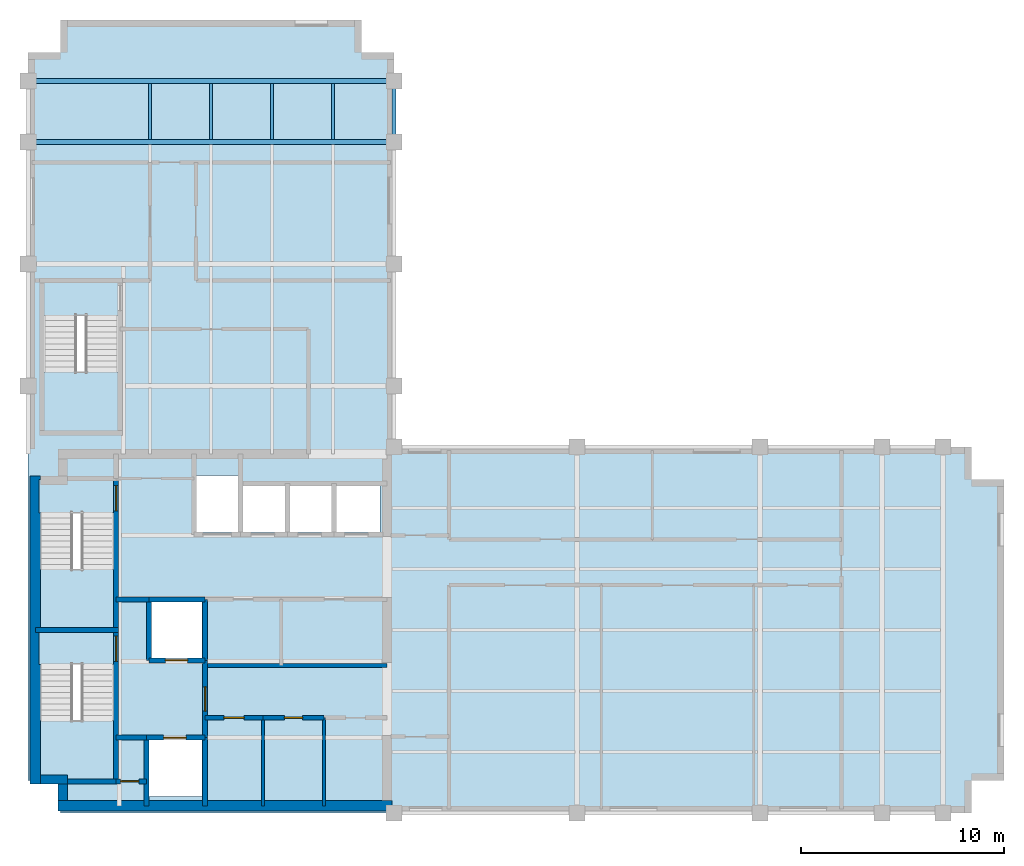
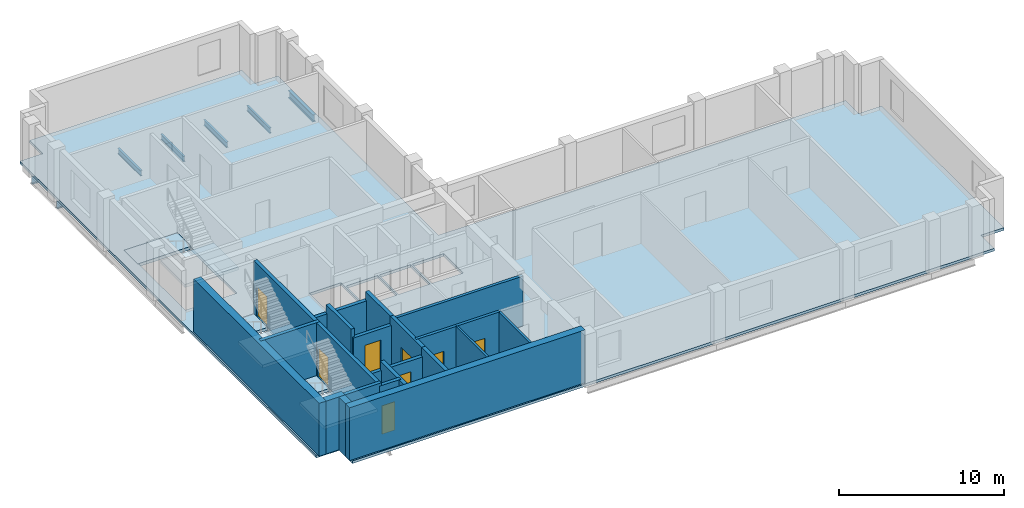
# One storey, part 2 of 6: 24 walls, 8 doors, 7 beams, 7 slabs, 8 openings, 3 elements without a shape of their own.
"""IFC4 building model written with IfcOpenShell, lengths in metres."""

from ifc_helpers import new_model, si_unit, direction, frame, frame_2d, origin, origin_2d, place, context, subcontext, project, spatial, polyline, rectangle, i_section, outline, extrude, material, layer, layer_set, material_profile, profile_set, type_object, element, fill, aggregate, save


model = new_model("IFC4")

# Units and contexts
model_context = context("Model", 3, precision=1e-05, world=origin(), true_north=direction((0.0, 1.0)))
body_context = subcontext(model_context, "Body", "Model", "MODEL_VIEW")
ifc_project = project(units=[si_unit("LENGTHUNIT", "METRE"), si_unit("AREAUNIT", "SQUARE_METRE"), si_unit("VOLUMEUNIT", "CUBIC_METRE"), si_unit("PLANEANGLEUNIT", "RADIAN"), si_unit("MASSUNIT", "GRAM", prefix="KILO")], contexts=[model_context])

# Site, building, storey
site_placement = place(None, origin())
site = spatial("IfcSite", under=ifc_project, at=site_placement, CompositionType="ELEMENT")
building_placement = place(site_placement, origin())
building = spatial("IfcBuilding", under=site, at=building_placement, Name="Mawjdan Bourse Tower", CompositionType="ELEMENT")
storey_placement = place(building_placement, frame((0.0, 0.0, 243.0)))
storey = spatial("IfcBuildingStorey", under=building, at=storey_placement, Name="L59", CompositionType="ELEMENT", Elevation=243.0)

# Beams
ifc_material_1 = material(Name="Structural Steel S355", Category="steel")
ifc_material_profile_1 = material_profile(ifc_material_1, i_section(OverallWidth=0.22998046875, OverallDepth=0.616943359375, WebThickness=0.01318359375, FlangeThickness=0.022216796875, FilletRadius=0.017822265625, at=origin_2d()), Name="W24X94")
ifc_profile_set_1 = profile_set([ifc_material_profile_1], Name="Structural Steel S355")
beam_type_1 = type_object("IfcBeamType", Name="GRD-W24X94", PredefinedType="BEAM", material=ifc_profile_set_1)
for number, where, z_axis, x_axis, name in (
    (1, (6.0, 36.0, -0.508544921875), (1.0, 0.0, 0.0), (0.0, 1.0, 0.0), "L59 North Wing Clear-Span Girder 041"),
    (2, (6.0, 39.0, -0.508544921875), (1.0, 0.0, 0.0), (0.0, 1.0, 0.0), "L59 North Wing Clear-Span Girder 042"),
):
    element("IfcBeam", number, at=place(storey_placement, frame(where, z_axis=z_axis, x_axis=x_axis)), inside=storey, type_object=beam_type_1, Name=name, PredefinedType="BEAM", context=body_context, shape_type="SweptSolid", body=[
        extrude(i_section(OverallWidth=0.22998046875, OverallDepth=0.616943359375, WebThickness=0.01318359375, FlangeThickness=0.022216796875, FilletRadius=0.017822265625, at=origin_2d()), origin(), (0.0, 0.0, 1.0), 18.0),
    ])
ifc_material_profile_2 = material_profile(ifc_material_1, i_section(OverallWidth=0.139892578125, OverallDepth=0.404052734375, WebThickness=0.007080078125, FlangeThickness=0.01123046875, FilletRadius=0.009033203125, at=origin_2d()), Name="W16X31")
ifc_profile_set_2 = profile_set([ifc_material_profile_2], Name="Structural Steel S355")
beam_type_2 = type_object("IfcBeamType", Name="JST-W16X31", PredefinedType="JOIST", material=ifc_profile_set_2)
for number, where, z_axis, x_axis, name in (
    (3, (12.0, 36.113037109375, -0.402099609375), (0.0, 1.0, 0.0), (-1.0, 0.0, 0.0), "L59 North Wing Composite Joist 054"),
    (4, (15.0, 36.113037109375, -0.402099609375), (0.0, 1.0, 0.0), (-1.0, 0.0, 0.0), "L59 North Wing Composite Joist 058"),
    (5, (18.0, 36.113037109375, -0.402099609375), (0.0, 1.0, 0.0), (-1.0, 0.0, 0.0), "L59 North Wing Composite Joist 062"),
    (6, (21.0, 36.113037109375, -0.402099609375), (0.0, 1.0, 0.0), (-1.0, 0.0, 0.0), "L59 North Wing Composite Joist 066"),
):
    element("IfcBeam", number, at=place(storey_placement, frame(where, z_axis=z_axis, x_axis=x_axis)), inside=storey, type_object=beam_type_2, Name=name, PredefinedType="JOIST", context=body_context, shape_type="SweptSolid", body=[
        extrude(i_section(OverallWidth=0.139892578125, OverallDepth=0.404052734375, WebThickness=0.007080078125, FlangeThickness=0.01123046875, FilletRadius=0.009033203125, at=origin_2d()), origin(), (0.0, 0.0, 1.0), 2.77392578125),
    ])
ifc_material_profile_3 = material_profile(ifc_material_1, i_section(OverallWidth=0.2099609375, OverallDepth=0.537109375, WebThickness=0.010986328125, FlangeThickness=0.017333984375, FilletRadius=0.013916015625, at=origin_2d()), Name="W21X68")
ifc_profile_set_3 = profile_set([ifc_material_profile_3], Name="Structural Steel S355")
beam_type_3 = type_object("IfcBeamType", Name="SPN-W21X68", PredefinedType="SPANDREL", material=ifc_profile_set_3)
beam_placement = place(storey_placement, frame((24.0, 36.0, -0.468505859375), z_axis=(0.0, 1.0, 0.0), x_axis=(-1.0, 0.0, 0.0)))
element("IfcBeam", 7, at=beam_placement, inside=storey, type_object=beam_type_3, Name="L59 North Wing Spandrel 050", PredefinedType="SPANDREL", context=body_context, shape_type="SweptSolid", body=[
    extrude(i_section(OverallWidth=0.2099609375, OverallDepth=0.537109375, WebThickness=0.010986328125, FlangeThickness=0.017333984375, FilletRadius=0.013916015625, at=origin_2d()), origin(), (0.0, 0.0, 1.0), 3.0),
])

# Stair, slabs
ifc_material_2 = material(Name="Concrete C50/60", Category="concrete")
stair_type = type_object("IfcStairType", Name="STR-CORE-1500", PredefinedType="HALF_TURN_STAIR", material=ifc_material_2)
stair_1_placement = place(storey_placement, origin())
stair_1 = element("IfcStair", 8, at=stair_1_placement, inside=storey, type_object=stair_type, Name="L59 Exit Stair 1 (Core South-West)", PredefinedType="HALF_TURN_STAIR")
ifc_layer_1 = layer(ifc_material_2, 0.22998046875)
ifc_layer_set_1 = layer_set([ifc_layer_1], Name="Concrete C50/60")
slab_type_1 = type_object("IfcSlabType", Name="SL-LND-230", PredefinedType="LANDING", material=ifc_layer_set_1)
slab_1_placement = place(storey_placement, frame((0.0, 0.0, -0.22998046875)))
slab_1 = element("IfcSlab", 9, at=slab_1_placement, type_object=slab_type_1, Name="ST1-L59 landing 1", PredefinedType="LANDING", context=body_context, shape_type="SweptSolid", body=[
    extrude(outline(polyline([(6.5400390625, 10.31005859375), (10.260009765625, 10.31005859375), (10.260009765625, 11.969970703125), (6.5400390625, 11.969970703125), (6.5400390625, 10.31005859375)])), origin(), (0.0, 0.0, 1.0), 0.22998046875),
])
slab_2_placement = place(storey_placement, frame((0.0, 0.0, 1.719970703125)))
slab_2 = element("IfcSlab", 10, at=slab_2_placement, type_object=slab_type_1, Name="ST1-L59 landing 2", PredefinedType="LANDING", context=body_context, shape_type="SweptSolid", body=[
    extrude(outline(polyline([(6.5400390625, 4.590087890625), (10.260009765625, 4.590087890625), (10.260009765625, 7.5400390625), (6.5400390625, 7.5400390625), (6.5400390625, 4.590087890625)])), origin(), (0.0, 0.0, 1.0), 0.22998046875),
])
aggregate(stair_1, [slab_1, slab_2])

stair_2_placement = place(storey_placement, origin())
stair_2 = element("IfcStair", 11, at=stair_2_placement, inside=storey, type_object=stair_type, Name="L59 Exit Stair 2 (Core North-West)", PredefinedType="HALF_TURN_STAIR")
slab_3_placement = place(storey_placement, frame((0.0, 0.0, -0.22998046875)))
slab_3 = element("IfcSlab", 12, at=slab_3_placement, type_object=slab_type_1, Name="ST2-L59 landing 1", PredefinedType="LANDING", context=body_context, shape_type="SweptSolid", body=[
    extrude(outline(polyline([(6.5400390625, 17.75), (10.260009765625, 17.75), (10.260009765625, 19.409912109375), (6.5400390625, 19.409912109375), (6.5400390625, 17.75)])), origin(), (0.0, 0.0, 1.0), 0.22998046875),
])
slab_4_placement = place(storey_placement, frame((0.0, 0.0, 1.719970703125)))
slab_4 = element("IfcSlab", 13, at=slab_4_placement, type_object=slab_type_1, Name="ST2-L59 landing 2", PredefinedType="LANDING", context=body_context, shape_type="SweptSolid", body=[
    extrude(outline(polyline([(6.5400390625, 12.030029296875), (10.260009765625, 12.030029296875), (10.260009765625, 14.97998046875), (6.5400390625, 14.97998046875), (6.5400390625, 12.030029296875)])), origin(), (0.0, 0.0, 1.0), 0.22998046875),
])
aggregate(stair_2, [slab_3, slab_4])

stair_3_placement = place(storey_placement, origin())
stair_3 = element("IfcStair", 14, at=stair_3_placement, inside=storey, type_object=stair_type, Name="L59 Exit Stair 3 (North Wing)", PredefinedType="HALF_TURN_STAIR")
slab_5_placement = place(storey_placement, frame((0.0, 0.0, -0.22998046875)))
slab_5 = element("IfcSlab", 15, at=slab_5_placement, type_object=slab_type_1, Name="ST3-L59 landing 1", PredefinedType="LANDING", context=body_context, shape_type="SweptSolid", body=[
    extrude(outline(polyline([(6.739990234375, 27.4599609375), (10.4599609375, 27.4599609375), (10.4599609375, 29.1201171875), (6.739990234375, 29.1201171875), (6.739990234375, 27.4599609375)])), origin(), (0.0, 0.0, 1.0), 0.22998046875),
])
slab_6_placement = place(storey_placement, frame((0.0, 0.0, 1.719970703125)))
slab_6 = element("IfcSlab", 16, at=slab_6_placement, type_object=slab_type_1, Name="ST3-L59 landing 2", PredefinedType="LANDING", context=body_context, shape_type="SweptSolid", body=[
    extrude(outline(polyline([(6.739990234375, 21.739990234375), (10.4599609375, 21.739990234375), (10.4599609375, 24.68994140625), (6.739990234375, 24.68994140625), (6.739990234375, 21.739990234375)])), origin(), (0.0, 0.0, 1.0), 0.22998046875),
])
aggregate(stair_3, [slab_5, slab_6])

# Slab
ifc_layer_2 = layer(ifc_material_2, 0.199951171875)
ifc_layer_set_2 = layer_set([ifc_layer_2], Name="Concrete C50/60")
slab_type_2 = type_object("IfcSlabType", Name="SL-OFC-200", PredefinedType="FLOOR", material=ifc_layer_set_2)
slab_7_placement = place(storey_placement, frame((0.0, 0.0, -0.199951171875)))
element("IfcSlab", 17, at=slab_7_placement, inside=storey, type_object=slab_type_2, Name="L59 Structural Floor Slab 1", PredefinedType="FLOOR", context=body_context, shape_type="SweptSolid", body=[
    extrude(outline(polyline([(7.60009765625, 3.0), (52.39990234375, 3.0), (52.39990234375, 4.60009765625), (54.0, 4.60009765625), (54.0, 19.39990234375), (52.39990234375, 19.39990234375), (52.39990234375, 21.0), (24.0, 21.0), (24.0, 40.39990234375), (22.39990234375, 40.39990234375), (22.39990234375, 42.0), (7.60009765625, 42.0), (7.60009765625, 40.39990234375), (6.0, 40.39990234375), (6.0, 4.60009765625), (7.60009765625, 4.60009765625), (7.60009765625, 3.0)]), holes=[polyline([(6.5400390625, 11.969970703125), (10.260009765625, 11.969970703125), (10.260009765625, 10.31005859375), (10.199951171875, 10.31005859375), (10.199951171875, 4.64990234375), (6.60009765625, 4.64990234375), (6.60009765625, 10.31005859375), (6.5400390625, 10.31005859375), (6.5400390625, 11.969970703125)]), polyline([(6.60009765625, 12.090087890625), (6.60009765625, 17.75), (6.5400390625, 17.75), (6.5400390625, 19.409912109375), (10.260009765625, 19.409912109375), (10.260009765625, 17.75), (10.199951171875, 17.75), (10.199951171875, 12.090087890625), (6.60009765625, 12.090087890625)]), polyline([(10.4599609375, 29.1201171875), (10.4599609375, 27.4599609375), (10.39990234375, 27.4599609375), (10.39990234375, 21.800048828125), (6.800048828125, 21.800048828125), (6.800048828125, 27.4599609375), (6.739990234375, 27.4599609375), (6.739990234375, 29.1201171875), (10.4599609375, 29.1201171875)]), polyline([(14.550048828125, 3.800048828125), (11.949951171875, 3.800048828125), (11.949951171875, 6.60009765625), (14.550048828125, 6.60009765625), (14.550048828125, 3.800048828125)]), polyline([(12.050048828125, 10.60009765625), (12.050048828125, 13.39990234375), (14.550048828125, 13.39990234375), (14.550048828125, 10.60009765625), (12.050048828125, 10.60009765625)]), polyline([(16.5, 16.800048828125), (16.5, 19.14990234375), (18.699951171875, 19.14990234375), (18.699951171875, 16.800048828125), (16.5, 16.800048828125)]), polyline([(21.0, 16.800048828125), (18.800048828125, 16.800048828125), (18.800048828125, 19.14990234375), (21.0, 19.14990234375), (21.0, 16.800048828125)]), polyline([(21.10009765625, 16.800048828125), (21.10009765625, 19.14990234375), (23.300048828125, 19.14990234375), (23.300048828125, 16.800048828125), (21.10009765625, 16.800048828125)]), polyline([(14.199951171875, 16.800048828125), (14.199951171875, 19.60009765625), (16.39990234375, 19.60009765625), (16.39990234375, 16.800048828125), (14.199951171875, 16.800048828125)])]), origin(), (0.0, 0.0, 1.0), 0.199951171875),
])

# Wall, opening, door
ifc_material_3 = material(Name="Gypsum Fireboard Assembly")
ifc_layer_3 = layer(ifc_material_3, 0.199951171875)
ifc_layer_set_3 = layer_set([ifc_layer_3], Name="Gypsum Fireboard Assembly")
wall_type_1 = type_object("IfcWallType", Name="WL-CMP-200", PredefinedType="PARTITIONING", material=ifc_layer_set_3)
wall_1_placement = place(storey_placement, frame((14.699951171875, 7.679931640625, 0.0), z_axis=(0.0, 0.0, 1.0), x_axis=(1.0, 0.0, 0.0)))
wall_1 = element("IfcWall", 18, at=wall_1_placement, inside=storey, type_object=wall_type_1, Name="L59 Archive & Records Office North Wall", PredefinedType="PARTITIONING", context=body_context, shape_type="SweptSolid", body=[
    extrude(rectangle(XDim=2.85009765625, YDim=0.199951171875, at=frame_2d((1.425048828125, 0.0))), origin(), (0.0, 0.0, 1.0), 3.68994140625),
])
opening_1_placement = place(wall_1_placement, frame((0.925048828125, 0.0, 0.0)))
opening_1 = element("IfcOpeningElement", 19, at=opening_1_placement, cuts=wall_1, Name="Opening D-L59-13", PredefinedType="OPENING", context=body_context, shape_type="SweptSolid", body=[
    extrude(rectangle(XDim=1.0, YDim=2.14990234375, at=frame_2d((0.5, 1.074951171875))), frame((0.0, 0.10986328125, 0.0), z_axis=(0.0, -1.0, 0.0), x_axis=(1.0, 0.0, 0.0)), (0.0, 0.0, 1.0), 0.219970703125),
])
ifc_material_4 = material(Name="Hardwood Acoustic Leaf", Category="wood")
door_type_1 = type_object("IfcDoorType", Name="DR-OFC-1000", OperationType="NOTDEFINED", PredefinedType="DOOR", material=ifc_material_4)
door_1_placement = place(opening_1_placement, origin())
door_1 = element("IfcDoor", 20, at=door_1_placement, inside=storey, type_object=door_type_1, Name="L59 Archive & Records Office Door D-L59-13", OperationType="SINGLE_SWING_RIGHT", OverallHeight=2.14990234375, OverallWidth=1.0, PredefinedType="DOOR", context=body_context, shape_type="SweptSolid", body=[
    extrude(rectangle(XDim=1.0, YDim=2.14990234375, at=frame_2d((0.5, 1.074951171875))), frame((0.0, 0.02490234375, 0.0), z_axis=(0.0, -1.0, 0.0), x_axis=(1.0, 0.0, 0.0)), (0.0, 0.0, 1.0), 0.050048828125),
])
fill(opening_1, door_1)

wall_2_placement = place(storey_placement, frame((17.550048828125, 7.679931640625, 0.0), z_axis=(0.0, 0.0, 1.0), x_axis=(1.0, 0.0, 0.0)))
wall_2 = element("IfcWall", 21, at=wall_2_placement, inside=storey, type_object=wall_type_1, Name="L59 IT & Fiber Patch Room North Wall", PredefinedType="PARTITIONING", context=body_context, shape_type="SweptSolid", body=[
    extrude(rectangle(XDim=3.0, YDim=0.199951171875, at=frame_2d((1.5, 0.0))), origin(), (0.0, 0.0, 1.0), 3.68994140625),
])
opening_2_placement = place(wall_2_placement, frame((1.050048828125, 0.0, 0.0)))
opening_2 = element("IfcOpeningElement", 22, at=opening_2_placement, cuts=wall_2, Name="Opening D-L59-14", PredefinedType="OPENING", context=body_context, shape_type="SweptSolid", body=[
    extrude(rectangle(XDim=0.89990234375, YDim=2.10009765625, at=frame_2d((0.449951171875, 1.050048828125))), frame((0.0, 0.10986328125, 0.0), z_axis=(0.0, -1.0, 0.0), x_axis=(1.0, 0.0, 0.0)), (0.0, 0.0, 1.0), 0.219970703125),
])
ifc_material_5 = material(Name="Fire-Rated Steel Access Leaf", Category="steel")
door_type_2 = type_object("IfcDoorType", Name="FD-RSR-0900", OperationType="NOTDEFINED", PredefinedType="TRAPDOOR", material=ifc_material_5)
door_2_placement = place(opening_2_placement, origin())
door_2 = element("IfcDoor", 23, at=door_2_placement, inside=storey, type_object=door_type_2, Name="L59 IT & Fiber Patch Room Door D-L59-14", OperationType="SINGLE_SWING_LEFT", OverallHeight=2.10009765625, OverallWidth=0.89990234375, PredefinedType="TRAPDOOR", context=body_context, shape_type="SweptSolid", body=[
    extrude(rectangle(XDim=0.89990234375, YDim=2.10009765625, at=frame_2d((0.449951171875, 1.050048828125))), frame((0.0, 0.02490234375, 0.0), z_axis=(0.0, -1.0, 0.0), x_axis=(1.0, 0.0, 0.0)), (0.0, 0.0, 1.0), 0.050048828125),
])
fill(opening_2, door_2)

# Walls
wall_3_placement = place(storey_placement, frame((14.824951171875, 10.25, 0.0), z_axis=(0.0, 0.0, 1.0), x_axis=(1.0, 0.0, 0.0)))
element("IfcWall", 24, at=wall_3_placement, inside=storey, type_object=wall_type_1, Name="L59 Core Restroom Suite South Wall", PredefinedType="PARTITIONING", context=body_context, shape_type="SweptSolid", body=[
    extrude(rectangle(XDim=8.824951171875, YDim=0.199951171875, at=frame_2d((4.41259765625, 0.0))), origin(), (0.0, 0.0, 1.0), 3.68994140625),
])
ifc_material_6 = material(Name="Concrete C60/75", Category="concrete")
ifc_layer_4 = layer(ifc_material_6, 0.449951171875)
ifc_layer_set_4 = layer_set([ifc_layer_4], Name="Concrete C60/75")
wall_type_2 = type_object("IfcWallType", Name="WL-CORE-450", PredefinedType="SHEAR", material=ifc_layer_set_4)
wall_4_placement = place(storey_placement, frame((6.60009765625, 4.64990234375, 0.0), z_axis=(0.0, 0.0, 1.0), x_axis=(1.0, 0.0, 0.0)))
element("IfcWall", 25, at=wall_4_placement, inside=storey, type_object=wall_type_2, Name="L59 Rear Core Shear Wall SW-X", PredefinedType="SHEAR", context=body_context, shape_type="SweptSolid", body=[
    extrude(rectangle(XDim=1.324951171875, YDim=0.449951171875, at=frame_2d((0.66259765625, 0.0))), origin(), (0.0, 0.0, 1.0), 3.89990234375),
])
wall_5_placement = place(storey_placement, frame((7.699951171875, 3.60009765625, 0.0), z_axis=(0.0, 0.0, 1.0), x_axis=(0.0, 1.0, 0.0)))
element("IfcWall", 26, at=wall_5_placement, inside=storey, type_object=wall_type_2, Name="L59 Rear Core Shear Wall SW-Y", PredefinedType="SHEAR", context=body_context, shape_type="SweptSolid", body=[
    extrude(rectangle(XDim=0.824951171875, YDim=0.449951171875, at=frame_2d((0.41259765625, 0.0))), origin(), (0.0, 0.0, 1.0), 3.89990234375),
])
ifc_layer_5 = layer(ifc_material_6, 0.5)
ifc_layer_set_5 = layer_set([ifc_layer_5], Name="Concrete C60/75")
wall_type_3 = type_object("IfcWallType", Name="WL-CORE-500", PredefinedType="SHEAR", material=ifc_layer_set_5)
wall_6_placement = place(storey_placement, frame((7.47509765625, 3.35009765625, 0.0), z_axis=(0.0, 0.0, 1.0), x_axis=(1.0, 0.0, 0.0)))
element("IfcWall", 27, at=wall_6_placement, inside=storey, type_object=wall_type_3, Name="L59 Rear Core Shear Wall S", PredefinedType="SHEAR", context=body_context, shape_type="SweptSolid", body=[
    extrude(rectangle(XDim=16.4248046875, YDim=0.5, at=frame_2d((8.21240234375, 0.0))), origin(), (0.0, 0.0, 1.0), 3.89990234375),
])
wall_7_placement = place(storey_placement, frame((6.35009765625, 4.425048828125, 0.0), z_axis=(0.0, 0.0, 1.0), x_axis=(0.0, 1.0, 0.0)))
element("IfcWall", 28, at=wall_7_placement, inside=storey, type_object=wall_type_3, Name="L59 Rear Core Shear Wall W", PredefinedType="SHEAR", context=body_context, shape_type="SweptSolid", body=[
    extrude(rectangle(XDim=15.14990234375, YDim=0.5, at=frame_2d((7.574951171875, 0.0))), origin(), (0.0, 0.0, 1.0), 3.89990234375),
])
ifc_material_7 = material(Name="Gypsum Acoustic Partition")
ifc_layer_6 = layer(ifc_material_7, 0.14990234375)
ifc_layer_set_6 = layer_set([ifc_layer_6], Name="Gypsum Acoustic Partition")
wall_type_4 = type_object("IfcWallType", Name="WL-PRT-150", PredefinedType="PARTITIONING", material=ifc_layer_set_6)
for number, where, z_axis, x_axis, name in (
    (29, (17.550048828125, 3.35009765625, 0.0), (0.0, 0.0, 1.0), (0.0, 1.0, 0.0), "L59 IT & Fiber Patch Room Core Split Wall"),
    (30, (20.550048828125, 3.35009765625, 0.0), (0.0, 0.0, 1.0), (0.0, 1.0, 0.0), "L59 Staff Tea Pantry Core Split Wall"),
):
    element("IfcWall", number, at=place(storey_placement, frame(where, z_axis=z_axis, x_axis=x_axis)), inside=storey, type_object=wall_type_4, Name=name, PredefinedType="PARTITIONING", context=body_context, shape_type="SweptSolid", body=[
        extrude(rectangle(XDim=4.329833984375, YDim=0.14990234375, at=frame_2d((2.1650390625, 0.0))), origin(), (0.0, 0.0, 1.0), 3.68994140625),
    ])

# Wall, opening, door
ifc_layer_7 = layer(ifc_material_2, 0.25)
ifc_layer_set_7 = layer_set([ifc_layer_7], Name="Concrete C50/60")
wall_type_5 = type_object("IfcWallType", Name="WL-SHFT-250", PredefinedType="PARTITIONING", material=ifc_layer_set_7)
wall_8_placement = place(storey_placement, frame((10.330078125, 4.550048828125, 0.0), z_axis=(0.0, 0.0, 1.0), x_axis=(1.0, 0.0, 0.0)))
wall_8 = element("IfcWall", 31, at=wall_8_placement, inside=storey, type_object=wall_type_5, Name="L59 SW Riser North Wall", PredefinedType="PARTITIONING", context=body_context, shape_type="SweptSolid", body=[
    extrude(rectangle(XDim=1.489990234375, YDim=0.25, at=frame_2d((0.7451171875, 0.0))), origin(), (0.0, 0.0, 1.0), 3.68994140625),
])
opening_3_placement = place(wall_8_placement, frame((0.219970703125, 0.0, 0.0)))
opening_3 = element("IfcOpeningElement", 32, at=opening_3_placement, cuts=wall_8, Name="Opening RD-L59-03", PredefinedType="OPENING", context=body_context, shape_type="SweptSolid", body=[
    extrude(rectangle(XDim=0.89990234375, YDim=2.10009765625, at=frame_2d((0.449951171875, 1.050048828125))), frame((0.0, 0.135009765625, 0.0), z_axis=(0.0, -1.0, 0.0), x_axis=(1.0, 0.0, 0.0)), (0.0, 0.0, 1.0), 0.27001953125),
])
door_3_placement = place(opening_3_placement, origin())
door_3 = element("IfcDoor", 33, at=door_3_placement, inside=storey, type_object=door_type_2, Name="L59 Electrical Riser Access Door RD-L59-03", OperationType="SINGLE_SWING_RIGHT", OverallHeight=2.10009765625, OverallWidth=0.89990234375, PredefinedType="TRAPDOOR", context=body_context, shape_type="SweptSolid", body=[
    extrude(rectangle(XDim=0.89990234375, YDim=2.10009765625, at=frame_2d((0.449951171875, 1.050048828125))), frame((0.0, 0.02490234375, 0.0), z_axis=(0.0, -1.0, 0.0), x_axis=(1.0, 0.0, 0.0)), (0.0, 0.0, 1.0), 0.050048828125),
])
fill(opening_3, door_3)

# Wall
wall_9_placement = place(storey_placement, frame((11.820068359375, 3.35009765625, 0.0), z_axis=(0.0, 0.0, 1.0), x_axis=(0.0, 1.0, 0.0)))
element("IfcWall", 34, at=wall_9_placement, inside=storey, type_object=wall_type_5, Name="L59 SW Riser & FFL01 West Wall", PredefinedType="PARTITIONING", context=body_context, shape_type="SweptSolid", body=[
    extrude(rectangle(XDim=3.349853515625, YDim=0.25, at=frame_2d((1.6748046875, 0.0))), origin(), (0.0, 0.0, 1.0), 3.68994140625),
])

# Wall, opening, door
wall_10_placement = place(storey_placement, frame((11.820068359375, 6.699951171875, 0.0), z_axis=(0.0, 0.0, 1.0), x_axis=(1.0, 0.0, 0.0)))
wall_10 = element("IfcWall", 35, at=wall_10_placement, inside=storey, type_object=wall_type_5, Name="L59 FFL-01 Front Shaft Wall", PredefinedType="PARTITIONING", context=body_context, shape_type="SweptSolid", body=[
    extrude(rectangle(XDim=2.8798828125, YDim=0.25, at=frame_2d((1.43994140625, 0.0))), origin(), (0.0, 0.0, 1.0), 3.072998046875),
])
opening_4_placement = place(wall_10_placement, frame((0.85009765625, 0.0, 0.0)))
opening_4 = element("IfcOpeningElement", 36, at=opening_4_placement, cuts=wall_10, Name="Opening LD-L59-05", PredefinedType="OPENING", context=body_context, shape_type="SweptSolid", body=[
    extrude(rectangle(XDim=1.10009765625, YDim=2.25, at=frame_2d((0.550048828125, 1.125))), frame((0.0, 0.135009765625, 0.0), z_axis=(0.0, -1.0, 0.0), x_axis=(1.0, 0.0, 0.0)), (0.0, 0.0, 1.0), 0.27001953125),
])
ifc_material_8 = material(Name="Brushed Stainless Steel", Category="steel")
door_type_3 = type_object("IfcDoorType", Name="LD-FFL-1100", OperationType="DOUBLE_DOOR_SLIDING", PredefinedType="DOOR", material=ifc_material_8)
door_4_placement = place(opening_4_placement, origin())
door_4 = element("IfcDoor", 37, at=door_4_placement, inside=storey, type_object=door_type_3, Name="L59 Firefighting Lift FFL-01 Landing Door LD-L59-05", OperationType="DOUBLE_DOOR_SLIDING", OverallHeight=2.25, OverallWidth=1.10009765625, PredefinedType="DOOR", context=body_context, shape_type="SweptSolid", body=[
    extrude(rectangle(XDim=1.10009765625, YDim=2.25, at=frame_2d((0.550048828125, 1.125))), frame((0.0, 0.02490234375, 0.0), z_axis=(0.0, -1.0, 0.0), x_axis=(1.0, 0.0, 0.0)), (0.0, 0.0, 1.0), 0.050048828125),
])
fill(opening_4, door_4)

# Wall
wall_11_placement = place(storey_placement, frame((14.699951171875, 3.35009765625, 0.0), z_axis=(0.0, 0.0, 1.0), x_axis=(0.0, 1.0, 0.0)))
element("IfcWall", 38, at=wall_11_placement, inside=storey, type_object=wall_type_5, Name="L59 FFL-01 East Shaft Wall", PredefinedType="PARTITIONING", context=body_context, shape_type="SweptSolid", body=[
    extrude(rectangle(XDim=3.349853515625, YDim=0.25, at=frame_2d((1.6748046875, 0.0))), origin(), (0.0, 0.0, 1.0), 3.68994140625),
])

# Wall, opening, door
wall_12_placement = place(storey_placement, frame((11.949951171875, 10.5, 0.0), z_axis=(0.0, 0.0, 1.0), x_axis=(1.0, 0.0, 0.0)))
wall_12 = element("IfcWall", 39, at=wall_12_placement, inside=storey, type_object=wall_type_5, Name="L59 FFL-02 Front Shaft Wall", PredefinedType="PARTITIONING", context=body_context, shape_type="SweptSolid", body=[
    extrude(rectangle(XDim=2.75, YDim=0.25, at=frame_2d((1.375, 0.0))), origin(), (0.0, 0.0, 1.0), 3.072998046875),
])
opening_5_placement = place(wall_12_placement, frame((0.800048828125, 0.0, 0.0)))
opening_5 = element("IfcOpeningElement", 40, at=opening_5_placement, cuts=wall_12, Name="Opening LD-L59-06", PredefinedType="OPENING", context=body_context, shape_type="SweptSolid", body=[
    extrude(rectangle(XDim=1.10009765625, YDim=2.25, at=frame_2d((0.550048828125, 1.125))), frame((0.0, 0.135009765625, 0.0), z_axis=(0.0, -1.0, 0.0), x_axis=(1.0, 0.0, 0.0)), (0.0, 0.0, 1.0), 0.27001953125),
])
door_5_placement = place(opening_5_placement, origin())
door_5 = element("IfcDoor", 41, at=door_5_placement, inside=storey, type_object=door_type_3, Name="L59 Firefighting Lift FFL-02 Landing Door LD-L59-06", OperationType="DOUBLE_DOOR_SLIDING", OverallHeight=2.25, OverallWidth=1.10009765625, PredefinedType="DOOR", context=body_context, shape_type="SweptSolid", body=[
    extrude(rectangle(XDim=1.10009765625, YDim=2.25, at=frame_2d((0.550048828125, 1.125))), frame((0.0, 0.02490234375, 0.0), z_axis=(0.0, -1.0, 0.0), x_axis=(1.0, 0.0, 0.0)), (0.0, 0.0, 1.0), 0.050048828125),
])
fill(opening_5, door_5)

# Walls
wall_13_placement = place(storey_placement, frame((11.949951171875, 10.5, 0.0), z_axis=(0.0, 0.0, 1.0), x_axis=(0.0, 1.0, 0.0)))
element("IfcWall", 42, at=wall_13_placement, inside=storey, type_object=wall_type_5, Name="L59 FFL-02 West Shaft Wall", PredefinedType="PARTITIONING", context=body_context, shape_type="SweptSolid", body=[
    extrude(rectangle(XDim=3.0, YDim=0.25, at=frame_2d((1.5, 0.0))), origin(), (0.0, 0.0, 1.0), 3.68994140625),
])
wall_14_placement = place(storey_placement, frame((11.949951171875, 13.5, 0.0), z_axis=(0.0, 0.0, 1.0), x_axis=(1.0, 0.0, 0.0)))
element("IfcWall", 43, at=wall_14_placement, inside=storey, type_object=wall_type_5, Name="L59 FFL-02 North Shaft Wall", PredefinedType="PARTITIONING", context=body_context, shape_type="SweptSolid", body=[
    extrude(rectangle(XDim=2.75, YDim=0.25, at=frame_2d((1.375, 0.0))), origin(), (0.0, 0.0, 1.0), 3.072998046875),
])
wall_15_placement = place(storey_placement, frame((14.699951171875, 10.5, 0.0), z_axis=(0.0, 0.0, 1.0), x_axis=(0.0, 1.0, 0.0)))
element("IfcWall", 44, at=wall_15_placement, inside=storey, type_object=wall_type_5, Name="L59 FFL-02 East Shaft Wall", PredefinedType="PARTITIONING", context=body_context, shape_type="SweptSolid", body=[
    extrude(rectangle(XDim=3.0, YDim=0.25, at=frame_2d((1.5, 0.0))), origin(), (0.0, 0.0, 1.0), 3.68994140625),
])

# Wall, opening, door
wall_16_placement = place(storey_placement, frame((14.699951171875, 6.699951171875, 0.0), z_axis=(0.0, 0.0, 1.0), x_axis=(0.0, 1.0, 0.0)))
wall_16 = element("IfcWall", 45, at=wall_16_placement, inside=storey, type_object=wall_type_5, Name="L59 Firefighting Lobby East Compartment Wall", PredefinedType="PARTITIONING", context=body_context, shape_type="SweptSolid", body=[
    extrude(rectangle(XDim=3.800048828125, YDim=0.25, at=frame_2d((1.89990234375, 0.0))), origin(), (0.0, 0.0, 1.0), 3.68994140625),
])
opening_6_placement = place(wall_16_placement, frame((1.300048828125, 0.0, 0.0)))
opening_6 = element("IfcOpeningElement", 46, at=opening_6_placement, cuts=wall_16, Name="Opening FD-L59-07", PredefinedType="OPENING", context=body_context, shape_type="SweptSolid", body=[
    extrude(rectangle(XDim=1.199951171875, YDim=2.199951171875, at=frame_2d((0.60009765625, 1.10009765625))), frame((0.0, 0.135009765625, 0.0), z_axis=(0.0, -1.0, 0.0), x_axis=(1.0, 0.0, 0.0)), (0.0, 0.0, 1.0), 0.27001953125),
])
ifc_material_9 = material(Name="Fire-Rated Steel Leaf", Category="steel")
door_type_4 = type_object("IfcDoorType", Name="FD-FFL-1200", OperationType="NOTDEFINED", PredefinedType="DOOR", material=ifc_material_9)
door_6_placement = place(opening_6_placement, origin())
door_6 = element("IfcDoor", 47, at=door_6_placement, inside=storey, type_object=door_type_4, Name="L59 Firefighting Lobby East Smoke Door FD-L59-07", OperationType="SINGLE_SWING_RIGHT", OverallHeight=2.199951171875, OverallWidth=1.199951171875, PredefinedType="DOOR", context=body_context, shape_type="SweptSolid", body=[
    extrude(rectangle(XDim=1.199951171875, YDim=2.199951171875, at=frame_2d((0.60009765625, 1.10009765625))), frame((0.0, 0.02490234375, 0.0), z_axis=(0.0, -1.0, 0.0), x_axis=(1.0, 0.0, 0.0)), (0.0, 0.0, 1.0), 0.050048828125),
])
fill(opening_6, door_6)

# Walls
wall_17_placement = place(storey_placement, frame((10.330078125, 13.5, 0.0), z_axis=(0.0, 0.0, 1.0), x_axis=(1.0, 0.0, 0.0)))
element("IfcWall", 48, at=wall_17_placement, inside=storey, type_object=wall_type_5, Name="L59 Firefighting Lobby North Compartment Wall", PredefinedType="PARTITIONING", context=body_context, shape_type="SweptSolid", body=[
    extrude(rectangle(XDim=1.619873046875, YDim=0.25, at=frame_2d((0.81005859375, 0.0))), origin(), (0.0, 0.0, 1.0), 3.072998046875),
])
wall_18_placement = place(storey_placement, frame((10.330078125, 6.699951171875, 0.0), z_axis=(0.0, 0.0, 1.0), x_axis=(1.0, 0.0, 0.0)))
element("IfcWall", 49, at=wall_18_placement, inside=storey, type_object=wall_type_5, Name="L59 Firefighting Lobby South Closure Wall", PredefinedType="PARTITIONING", context=body_context, shape_type="SweptSolid", body=[
    extrude(rectangle(XDim=1.489990234375, YDim=0.25, at=frame_2d((0.7451171875, 0.0))), origin(), (0.0, 0.0, 1.0), 3.072998046875),
])
ifc_layer_8 = layer(ifc_material_2, 0.25)
ifc_layer_set_8 = layer_set([ifc_layer_8], Name="Concrete C50/60")
wall_type_6 = type_object("IfcWallType", Name="WL-STRW-250", PredefinedType="SHEAR", material=ifc_layer_set_8)
wall_19_placement = place(storey_placement, frame((6.35009765625, 12.0, 0.0), z_axis=(0.0, 0.0, 1.0), x_axis=(1.0, 0.0, 0.0)))
element("IfcWall", 50, at=wall_19_placement, inside=storey, type_object=wall_type_6, Name="L59 Stairwell Dividing Shaft Wall", PredefinedType="SHEAR", context=body_context, shape_type="SweptSolid", body=[
    extrude(rectangle(XDim=4.10498046875, YDim=0.25, at=frame_2d((2.052490234375, 0.0))), origin(), (0.0, 0.0, 1.0), 3.89990234375),
])
wall_20_placement = place(storey_placement, frame((7.699951171875, 4.550048828125, 0.0), z_axis=(0.0, 0.0, 1.0), x_axis=(1.0, 0.0, 0.0)))
element("IfcWall", 51, at=wall_20_placement, inside=storey, type_object=wall_type_6, Name="L59 Stairwell ST1 South Shaft Wall", PredefinedType="SHEAR", context=body_context, shape_type="SweptSolid", body=[
    extrude(rectangle(XDim=2.755126953125, YDim=0.25, at=frame_2d((1.37744140625, 0.0))), origin(), (0.0, 0.0, 1.0), 3.89990234375),
])

# Wall, opening, door
wall_21_placement = place(storey_placement, frame((10.330078125, 4.550048828125, 0.0), z_axis=(0.0, 0.0, 1.0), x_axis=(0.0, 1.0, 0.0)))
wall_21 = element("IfcWall", 52, at=wall_21_placement, inside=storey, type_object=wall_type_6, Name="L59 Stairwell ST1 East Enclosure Wall", PredefinedType="SHEAR", context=body_context, shape_type="SweptSolid", body=[
    extrude(rectangle(XDim=7.449951171875, YDim=0.25, at=frame_2d((3.72509765625, 0.0))), origin(), (0.0, 0.0, 1.0), 3.89990234375),
])
opening_7_placement = place(wall_21_placement, frame((5.89990234375, 0.0, 0.0)))
opening_7 = element("IfcOpeningElement", 53, at=opening_7_placement, cuts=wall_21, Name="Opening SD-L59-01", PredefinedType="OPENING", context=body_context, shape_type="SweptSolid", body=[
    extrude(rectangle(XDim=1.25, YDim=2.199951171875, at=frame_2d((0.625, 1.10009765625))), frame((0.0, 0.135009765625, 0.0), z_axis=(0.0, -1.0, 0.0), x_axis=(1.0, 0.0, 0.0)), (0.0, 0.0, 1.0), 0.27001953125),
])
door_type_5 = type_object("IfcDoorType", Name="FD-ST-1250", OperationType="NOTDEFINED", PredefinedType="DOOR", material=ifc_material_9)
door_7_placement = place(opening_7_placement, origin())
door_7 = element("IfcDoor", 54, at=door_7_placement, inside=storey, type_object=door_type_5, Name="L59 Exit Stair ST1 Fire Door SD-L59-01", OperationType="SINGLE_SWING_RIGHT", OverallHeight=2.199951171875, OverallWidth=1.25, PredefinedType="DOOR", context=body_context, shape_type="SweptSolid", body=[
    extrude(rectangle(XDim=1.25, YDim=2.199951171875, at=frame_2d((0.625, 1.10009765625))), frame((0.0, 0.02490234375, 0.0), z_axis=(0.0, -1.0, 0.0), x_axis=(1.0, 0.0, 0.0)), (0.0, 0.0, 1.0), 0.050048828125),
])
fill(opening_7, door_7)

wall_22_placement = place(storey_placement, frame((10.330078125, 12.0, 0.0), z_axis=(0.0, 0.0, 1.0), x_axis=(0.0, 1.0, 0.0)))
wall_22 = element("IfcWall", 55, at=wall_22_placement, inside=storey, type_object=wall_type_6, Name="L59 Stairwell ST2 East Enclosure Wall", PredefinedType="SHEAR", context=body_context, shape_type="SweptSolid", body=[
    extrude(rectangle(XDim=7.449951171875, YDim=0.25, at=frame_2d((3.72509765625, 0.0))), origin(), (0.0, 0.0, 1.0), 3.89990234375),
])
opening_8_placement = place(wall_22_placement, frame((5.85009765625, 0.0, 0.0)))
opening_8 = element("IfcOpeningElement", 56, at=opening_8_placement, cuts=wall_22, Name="Opening SD-L59-02", PredefinedType="OPENING", context=body_context, shape_type="SweptSolid", body=[
    extrude(rectangle(XDim=1.25, YDim=2.199951171875, at=frame_2d((0.625, 1.10009765625))), frame((0.0, 0.135009765625, 0.0), z_axis=(0.0, -1.0, 0.0), x_axis=(1.0, 0.0, 0.0)), (0.0, 0.0, 1.0), 0.27001953125),
])
door_8_placement = place(opening_8_placement, origin())
door_8 = element("IfcDoor", 57, at=door_8_placement, inside=storey, type_object=door_type_5, Name="L59 Exit Stair ST2 Fire Door SD-L59-02", OperationType="SINGLE_SWING_LEFT", OverallHeight=2.199951171875, OverallWidth=1.25, PredefinedType="DOOR", context=body_context, shape_type="SweptSolid", body=[
    extrude(rectangle(XDim=1.25, YDim=2.199951171875, at=frame_2d((0.625, 1.10009765625))), frame((0.0, 0.02490234375, 0.0), z_axis=(0.0, -1.0, 0.0), x_axis=(1.0, 0.0, 0.0)), (0.0, 0.0, 1.0), 0.050048828125),
])
fill(opening_8, door_8)

save(model, "model.ifc")
